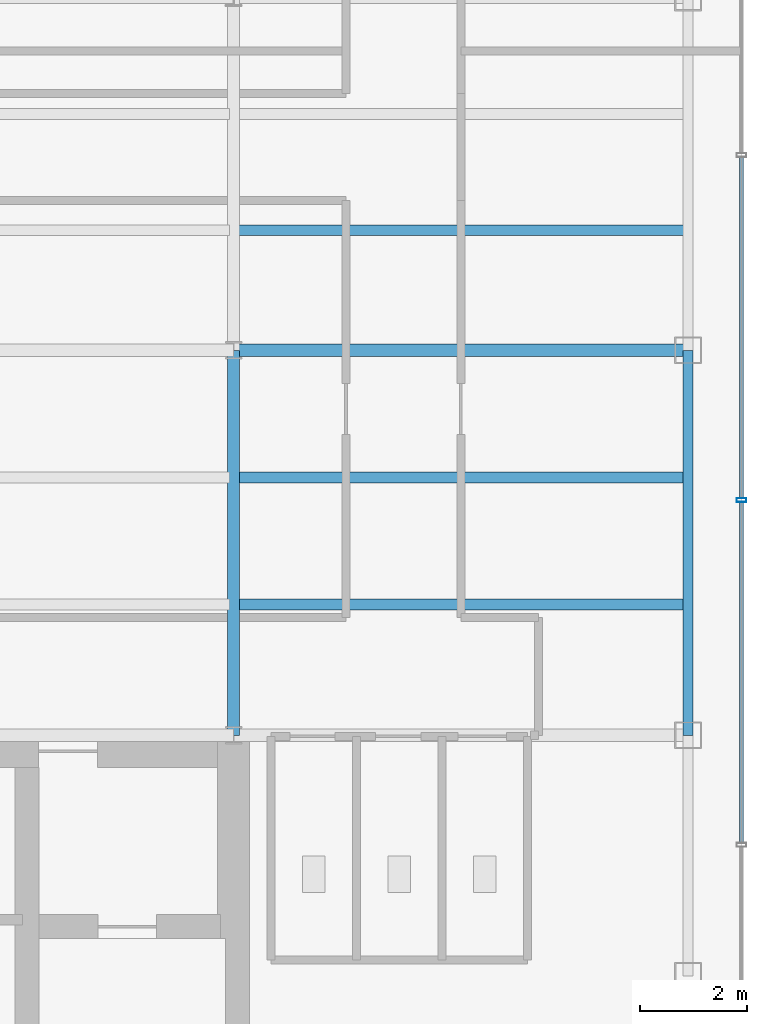
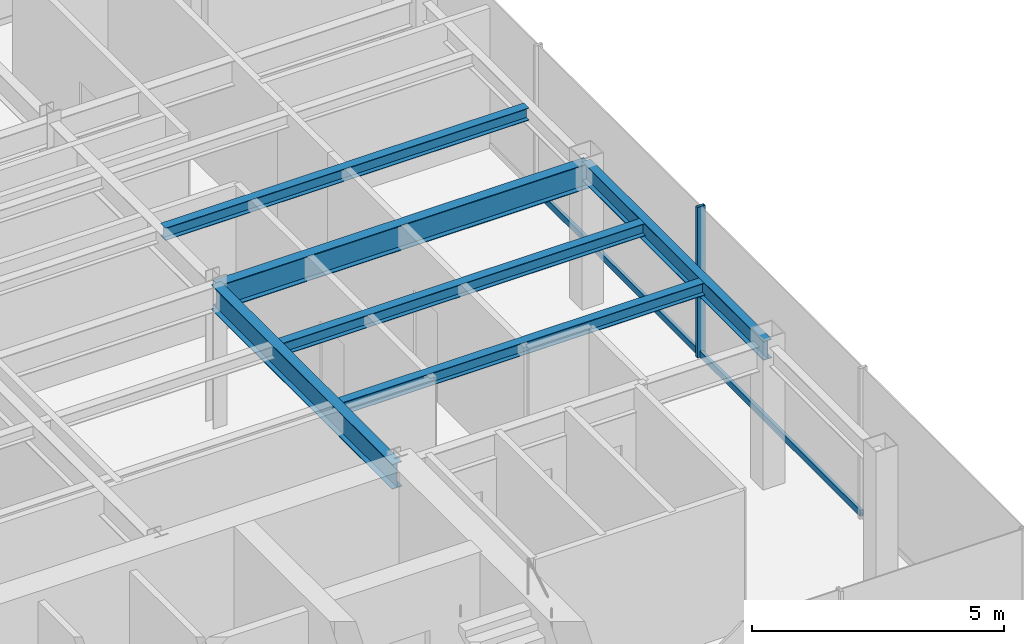
# One storey, part 10 of 22: 6 beams, 3 members, 1 element without a shape of its own.
"""IFC4 building model written with IfcOpenShell, lengths in metres."""

from ifc_helpers import new_model, si_unit, derived_unit, direction, frame, origin, origin_2d, place, context, subcontext, project, spatial, hollow_rectangle, i_section, extrude, source, transform, mapped, material, material_profile, profile_set, type_object, element, aggregate, save


model = new_model("IFC4")

# Units and contexts
model_context = context("Model", 3, precision=1e-05, world=origin(), true_north=direction((0.0, 1.0)))
body_context = subcontext(model_context, "Body", "Model", "MODEL_VIEW")
ifc_project = project(units=[si_unit("LENGTHUNIT", "METRE"), si_unit("AREAUNIT", "SQUARE_METRE"), si_unit("VOLUMEUNIT", "CUBIC_METRE"), si_unit("PLANEANGLEUNIT", "RADIAN"), si_unit("MASSUNIT", "GRAM", prefix="KILO"), derived_unit("THERMALTRANSMITTANCEUNIT", [(si_unit("POWERUNIT", "WATT"), 1), (si_unit("LENGTHUNIT", "METRE"), -2), (si_unit("THERMODYNAMICTEMPERATUREUNIT", "KELVIN"), -1)])], contexts=[model_context])

# Site, building, storey
site_placement = place(None, origin())
site = spatial("IfcSite", under=ifc_project, at=site_placement, CompositionType="ELEMENT")
building_placement = place(site_placement, origin())
building = spatial("IfcBuilding", under=site, at=building_placement, Name="Skarnbrae Concourse Arena and Tower", CompositionType="ELEMENT")
storey_placement = place(building_placement, frame((0.0, 0.0, 266.10009765625)))
storey = spatial("IfcBuildingStorey", under=building, at=storey_placement, Name="L69", CompositionType="ELEMENT", Elevation=266.10009765625)

# Beams
ifc_material_1 = material(Name="Steel CSA G40.21 350W", Category="steel")
ifc_material_profile_1 = material_profile(ifc_material_1, i_section(OverallWidth=0.22802734375, OverallDepth=0.60791015625, WebThickness=0.01123046875, FlangeThickness=0.017333984375, at=origin_2d()), Name="W610X113")
ifc_profile_set_1 = profile_set([ifc_material_profile_1], Name="Steel CSA G40.21 350W")
beam_type_1 = type_object("IfcBeamType", Name="BM-GIRD-W610X113", PredefinedType="BEAM", material=ifc_profile_set_1)
shared_shape_1 = source(origin(), body_context, "Body", "SweptSolid", [
    extrude(i_section(OverallWidth=0.22802734375, OverallDepth=0.60791015625, WebThickness=0.01123046875, FlangeThickness=0.017333984375, at=origin_2d()), origin(), (0.0, 0.0, 1.0), 8.5),
])
beam_1_placement = place(storey_placement, frame((33.5, 21.199951171875, 3.095947265625), z_axis=(1.0, 0.0, 0.0), x_axis=(0.0, 1.0, 0.0)))
element("IfcBeam", 1, at=beam_1_placement, inside=storey, type_object=beam_type_1, Name="L69 Primary E-W girder Y21.2-6", PredefinedType="BEAM", context=body_context, shape_type="MappedRepresentation", body=[
    mapped(shared_shape_1, transform((0.0, 0.0, 0.0))),
])
ifc_material_profile_2 = material_profile(ifc_material_1, i_section(OverallWidth=0.19091796875, OverallDepth=0.4599609375, WebThickness=0.010009765625, FlangeThickness=0.01611328125, at=origin_2d()), Name="W460X82")
ifc_profile_set_2 = profile_set([ifc_material_profile_2], Name="Steel CSA G40.21 350W")
beam_type_2 = type_object("IfcBeamType", Name="BM-SPAN-W460X82", PredefinedType="SPANDREL", material=ifc_profile_set_2)
shared_shape_2 = source(origin(), body_context, "Body", "SweptSolid", [
    extrude(i_section(OverallWidth=0.19091796875, OverallDepth=0.4599609375, WebThickness=0.010009765625, FlangeThickness=0.01611328125, at=origin_2d()), origin(), (0.0, 0.0, 1.0), 7.199951171875),
])
beam_2_placement = place(storey_placement, frame((42.0, 14.0, 3.169921875), z_axis=(0.0, 1.0, 0.0), x_axis=(-1.0, 0.0, 0.0)))
element("IfcBeam", 2, at=beam_2_placement, inside=storey, type_object=beam_type_2, Name="L69 Perimeter spandrel X42.0-2", PredefinedType="SPANDREL", context=body_context, shape_type="MappedRepresentation", body=[
    mapped(shared_shape_2, transform((0.0, 0.0, 0.0))),
])
shared_shape_3 = source(origin(), body_context, "Body", "SweptSolid", [
    extrude(i_section(OverallWidth=0.22802734375, OverallDepth=0.60791015625, WebThickness=0.01123046875, FlangeThickness=0.017333984375, at=origin_2d()), origin(), (0.0, 0.0, 1.0), 7.199951171875),
])
beam_3_placement = place(storey_placement, frame((33.5, 14.0, 3.095947265625), z_axis=(0.0, 1.0, 0.0), x_axis=(-1.0, 0.0, 0.0)))
element("IfcBeam", 3, at=beam_3_placement, inside=storey, type_object=beam_type_1, Name="L69 Primary N-S girder X33.5-1", PredefinedType="BEAM", context=body_context, shape_type="MappedRepresentation", body=[
    mapped(shared_shape_3, transform((0.0, 0.0, 0.0))),
])
ifc_material_profile_3 = material_profile(ifc_material_1, i_section(OverallWidth=0.202880859375, OverallDepth=0.302978515625, WebThickness=0.007568359375, FlangeThickness=0.01318359375, at=origin_2d()), Name="W310X60")
ifc_profile_set_3 = profile_set([ifc_material_profile_3], Name="Steel CSA G40.21 350W")
beam_type_3 = type_object("IfcBeamType", Name="BM-JOIST-W310X60", PredefinedType="JOIST", material=ifc_profile_set_3)
shared_shape_4 = source(origin(), body_context, "Body", "SweptSolid", [
    extrude(i_section(OverallWidth=0.202880859375, OverallDepth=0.302978515625, WebThickness=0.007568359375, FlangeThickness=0.01318359375, at=origin_2d()), origin(), (0.0, 0.0, 1.0), 8.33984375),
])
for number, where, z_axis, x_axis, name in (
    (4, (33.580078125, 16.447998046875, 3.248291015625), (1.0, 0.0, 0.0), (0.0, 1.0, 0.0), "L69 Secondary floor joist 1.1.6"),
    (5, (33.580078125, 18.823974609375, 3.248291015625), (1.0, 0.0, 0.0), (0.0, 1.0, 0.0), "L69 Secondary floor joist 1.2.6"),
    (6, (33.580078125, 23.444091796875, 3.248291015625), (1.0, 0.0, 0.0), (0.0, 1.0, 0.0), "L69 Secondary floor joist 2.1.6"),
):
    element("IfcBeam", number, at=place(storey_placement, frame(where, z_axis=z_axis, x_axis=x_axis)), inside=storey, type_object=beam_type_3, Name=name, PredefinedType="JOIST", context=body_context, shape_type="MappedRepresentation", body=[
        mapped(shared_shape_4, transform((0.0, 0.0, 0.0))),
    ])

# Curtain wall, members
ifc_material_2 = material(Name="Bronze anodised aluminium 6063-T6", Category="aluminium")
curtain_wall_type = type_object("IfcCurtainWallType", Name="CW-SYS-05-HIGHZONE", PredefinedType="USERDEFINED", material=ifc_material_2)
curtain_wall_placement = place(storey_placement, origin())
curtain_wall = element("IfcCurtainWall", 7, at=curtain_wall_placement, inside=storey, type_object=curtain_wall_type, Name="L69 Unitised curtain wall CW-L69-E04", ObjectType="UNITISED CURTAIN WALL", PredefinedType="USERDEFINED")
ifc_material_profile_4 = material_profile(ifc_material_2, hollow_rectangle(XDim=0.074951171875, YDim=0.179931640625, WallThickness=0.00390625, at=origin_2d()), Name="ALU-MULL-75X180")
ifc_profile_set_4 = profile_set([ifc_material_profile_4], Name="Bronze anodised aluminium 6063-T6")
member_type_1 = type_object("IfcMemberType", Name="CWM-CW-05", PredefinedType="MULLION", material=ifc_profile_set_4)
shared_shape_5 = source(origin(), body_context, "Body", "SweptSolid", [
    extrude(hollow_rectangle(XDim=0.074951171875, YDim=0.179931640625, WallThickness=0.00390625, at=origin_2d()), origin(), (0.0, 0.0, 1.0), 3.64990234375),
])
member_1_placement = place(storey_placement, frame((43.0, 18.39990234375, 0.0), z_axis=(0.0, 0.0, 1.0), x_axis=(0.0, 1.0, 0.0)))
member_1 = element("IfcMember", 8, at=member_1_placement, type_object=member_type_1, Name="CW-L69-E04 Mullion 3", PredefinedType="MULLION", context=body_context, shape_type="MappedRepresentation", body=[
    mapped(shared_shape_5, transform((0.0, 0.0, 0.0))),
])
ifc_material_profile_5 = material_profile(ifc_material_2, hollow_rectangle(XDim=0.074951171875, YDim=0.14990234375, WallThickness=0.00390625, at=origin_2d()), Name="ALU-TRAN-75X150")
ifc_profile_set_5 = profile_set([ifc_material_profile_5], Name="Bronze anodised aluminium 6063-T6")
member_type_2 = type_object("IfcMemberType", Name="CWT-CW-05", PredefinedType="USERDEFINED", material=ifc_profile_set_5)
shared_shape_6 = source(origin(), body_context, "Body", "SweptSolid", [
    extrude(hollow_rectangle(XDim=0.074951171875, YDim=0.14990234375, WallThickness=0.00390625, at=origin_2d()), origin(), (0.0, 0.0, 1.0), 6.375),
])
member_2_placement = place(storey_placement, frame((43.0, 11.987548828125, 0.074951171875), z_axis=(0.0, 1.0, 0.0), x_axis=(-1.0, 0.0, 0.0)))
member_2 = element("IfcMember", 9, at=member_2_placement, type_object=member_type_2, Name="CW-L69-E04 Transom 2", ObjectType="TRANSOM", PredefinedType="USERDEFINED", context=body_context, shape_type="MappedRepresentation", body=[
    mapped(shared_shape_6, transform((0.0, 0.0, 0.0))),
])
member_3_placement = place(storey_placement, frame((43.0, 18.4375, 0.074951171875), z_axis=(0.0, 1.0, 0.0), x_axis=(-1.0, 0.0, 0.0)))
member_3 = element("IfcMember", 10, at=member_3_placement, type_object=member_type_2, Name="CW-L69-E04 Transom 3", ObjectType="TRANSOM", PredefinedType="USERDEFINED", context=body_context, shape_type="MappedRepresentation", body=[
    mapped(shared_shape_6, transform((0.0, 0.0, 0.0))),
])
aggregate(curtain_wall, [member_1, member_2, member_3])

save(model, "model.ifc")
